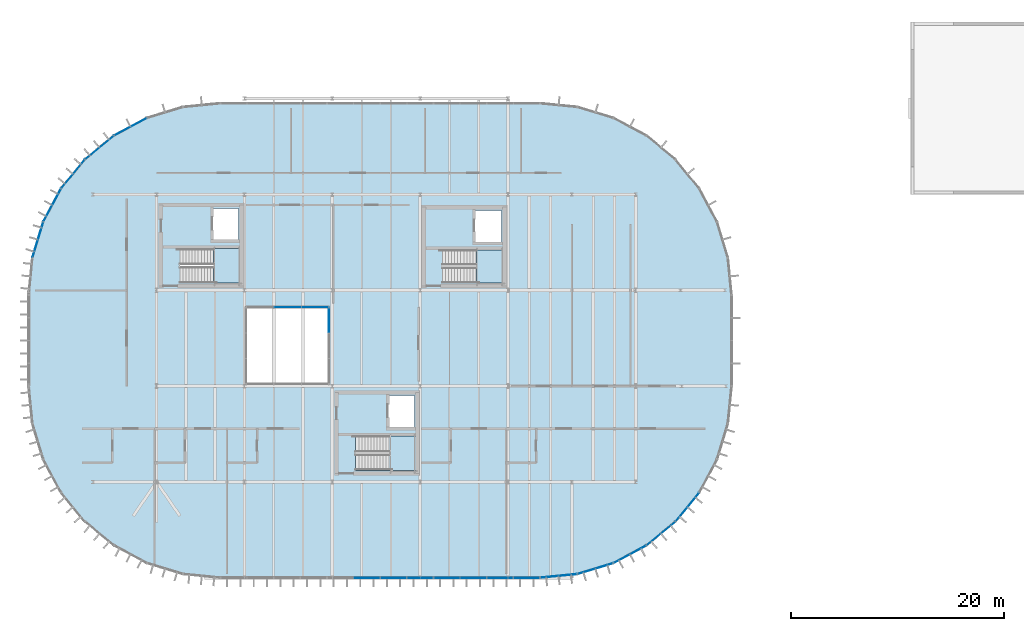
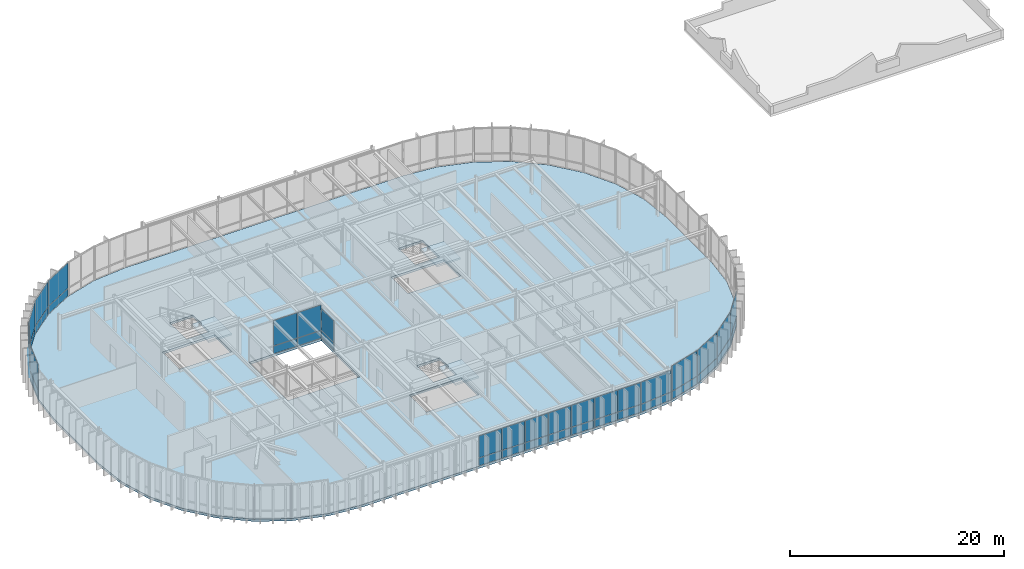
# One storey, part 17 of 27: 40 plates, 4 slabs, 6 openings, 17 elements without a shape of their own.
"""IFC4 building model written with IfcOpenShell, lengths in metres."""

from ifc_helpers import new_model, si_unit, direction, frame, origin, origin_2d, place, context, subcontext, project, spatial, polyline, rectangle, outline, extrude, material, layer, layer_set, type_object, element, aggregate, save


model = new_model("IFC4")

# Units and contexts
model_context = context("Model", 3, precision=1e-05, world=origin(), true_north=direction((0.0, 1.0)))
body_context = subcontext(model_context, "Body", "Model", "MODEL_VIEW")
ifc_project = project(units=[si_unit("LENGTHUNIT", "METRE"), si_unit("AREAUNIT", "SQUARE_METRE"), si_unit("VOLUMEUNIT", "CUBIC_METRE"), si_unit("PLANEANGLEUNIT", "RADIAN"), si_unit("MASSUNIT", "GRAM", prefix="KILO")], contexts=[model_context])

# Site, building, storey
site_placement = place(None, origin())
site = spatial("IfcSite", under=ifc_project, at=site_placement, CompositionType="ELEMENT")
building_placement = place(site_placement, origin())
building = spatial("IfcBuilding", under=site, at=building_placement, Name="Montealbar Specialist Clinic", CompositionType="ELEMENT")
storey_placement = place(building_placement, frame((0.0, 0.0, 18.0)))
storey = spatial("IfcBuildingStorey", under=building, at=storey_placement, Name="L04", CompositionType="ELEMENT", Elevation=18.0)

# Curtain wall, plates
ifc_material_1 = material(Name="Low-E double glazing", Category="glass")
ifc_layer_1 = layer(ifc_material_1, 0.199951171875, Name="Low-E double glazing", Category="glass")
ifc_layer_set_1 = layer_set([ifc_layer_1], Name="Low-E double glazing")
curtain_wall_type_1 = type_object("IfcCurtainWallType", Name="CW-TYPE-35", PredefinedType="NOTDEFINED", material=ifc_layer_set_1)
curtain_wall_1_placement = place(storey_placement, origin())
curtain_wall_1 = element("IfcCurtainWall", 1, at=curtain_wall_1_placement, inside=storey, type_object=curtain_wall_type_1, Name="Unitised Curtain Wall CW-L04-822-182-822-254-180", PredefinedType="NOTDEFINED")
ifc_layer_2 = layer(ifc_material_1, 0.028076171875, Name="Low-E double glazing", Category="glass")
ifc_layer_set_2 = layer_set([ifc_layer_2], Name="Low-E double glazing")
plate_type_1 = type_object("IfcPlateType", Name="CW-PNL-IGU28", PredefinedType="CURTAIN_PANEL", material=ifc_layer_set_2)
plate_1_placement = place(storey_placement, frame((82.199951171875, 24.199951171875, 0.070068359375), z_axis=(0.0, 0.0, 1.0), x_axis=(0.0, 1.0, 0.0)))
plate_1 = element("IfcPlate", 2, at=plate_1_placement, type_object=plate_type_1, Name="Glazed Curtain Panel CW-L04-822-182-822-254-180-3-1", PredefinedType="CURTAIN_PANEL", context=body_context, shape_type="SweptSolid", body=[
    extrude(rectangle(XDim=2.327880859375, YDim=0.028076171875, at=origin_2d()), origin(), (0.0, 0.0, 1.0), 0.85009765625),
])
plate_2_placement = place(storey_placement, frame((82.199951171875, 24.199951171875, 0.97998046875), z_axis=(0.0, 0.0, 1.0), x_axis=(0.0, 1.0, 0.0)))
plate_2 = element("IfcPlate", 3, at=plate_2_placement, type_object=plate_type_1, Name="Glazed Curtain Panel CW-L04-822-182-822-254-180-3-2", PredefinedType="CURTAIN_PANEL", context=body_context, shape_type="SweptSolid", body=[
    extrude(rectangle(XDim=2.327880859375, YDim=0.028076171875, at=origin_2d()), origin(), (0.0, 0.0, 1.0), 2.43994140625),
])
aggregate(curtain_wall_1, [plate_1, plate_2])

ifc_layer_3 = layer(ifc_material_1, 0.199951171875, Name="Low-E double glazing", Category="glass")
ifc_layer_set_3 = layer_set([ifc_layer_3], Name="Low-E double glazing")
curtain_wall_type_2 = type_object("IfcCurtainWallType", Name="CW-TYPE-36", PredefinedType="NOTDEFINED", material=ifc_layer_set_3)
curtain_wall_2_placement = place(storey_placement, origin())
curtain_wall_2 = element("IfcCurtainWall", 4, at=curtain_wall_2_placement, inside=storey, type_object=curtain_wall_type_2, Name="Unitised Curtain Wall CW-L04-822-254-744-254-180", PredefinedType="NOTDEFINED")
plate_3_placement = place(storey_placement, frame((80.89990234375, 25.39990234375, 0.070068359375), z_axis=(0.0, 0.0, 1.0), x_axis=(-1.0, 0.0, 0.0)))
plate_3 = element("IfcPlate", 5, at=plate_3_placement, type_object=plate_type_1, Name="Glazed Curtain Panel CW-L04-822-254-744-254-180-1-1", PredefinedType="CURTAIN_PANEL", context=body_context, shape_type="SweptSolid", body=[
    extrude(rectangle(XDim=2.528076171875, YDim=0.028076171875, at=origin_2d()), origin(), (0.0, 0.0, 1.0), 0.85009765625),
])
plate_4_placement = place(storey_placement, frame((80.89990234375, 25.39990234375, 0.97998046875), z_axis=(0.0, 0.0, 1.0), x_axis=(-1.0, 0.0, 0.0)))
plate_4 = element("IfcPlate", 6, at=plate_4_placement, type_object=plate_type_1, Name="Glazed Curtain Panel CW-L04-822-254-744-254-180-1-2", PredefinedType="CURTAIN_PANEL", context=body_context, shape_type="SweptSolid", body=[
    extrude(rectangle(XDim=2.528076171875, YDim=0.028076171875, at=origin_2d()), origin(), (0.0, 0.0, 1.0), 2.8701171875),
])
plate_5_placement = place(storey_placement, frame((78.300048828125, 25.39990234375, 0.070068359375), z_axis=(0.0, 0.0, 1.0), x_axis=(-1.0, 0.0, 0.0)))
plate_5 = element("IfcPlate", 7, at=plate_5_placement, type_object=plate_type_1, Name="Glazed Curtain Panel CW-L04-822-254-744-254-180-2-1", PredefinedType="CURTAIN_PANEL", context=body_context, shape_type="SweptSolid", body=[
    extrude(rectangle(XDim=2.528076171875, YDim=0.028076171875, at=origin_2d()), origin(), (0.0, 0.0, 1.0), 0.85009765625),
])
plate_6_placement = place(storey_placement, frame((78.300048828125, 25.39990234375, 0.97998046875), z_axis=(0.0, 0.0, 1.0), x_axis=(-1.0, 0.0, 0.0)))
plate_6 = element("IfcPlate", 8, at=plate_6_placement, type_object=plate_type_1, Name="Glazed Curtain Panel CW-L04-822-254-744-254-180-2-2", PredefinedType="CURTAIN_PANEL", context=body_context, shape_type="SweptSolid", body=[
    extrude(rectangle(XDim=2.528076171875, YDim=0.028076171875, at=origin_2d()), origin(), (0.0, 0.0, 1.0), 2.8701171875),
])
aggregate(curtain_wall_2, [plate_3, plate_4, plate_5, plate_6])

ifc_layer_4 = layer(ifc_material_1, 0.199951171875, Name="Low-E double glazing", Category="glass")
ifc_layer_set_4 = layer_set([ifc_layer_4], Name="Low-E double glazing")
curtain_wall_type_3 = type_object("IfcCurtainWallType", Name="CW-TYPE-29", PredefinedType="NOTDEFINED", material=ifc_layer_set_4)
curtain_wall_3_placement = place(storey_placement, origin())
curtain_wall_3 = element("IfcCurtainWall", 9, at=curtain_wall_3_placement, inside=storey, type_object=curtain_wall_type_3, Name="Unitised Curtain Wall CW-L04-543-301-554-334-180", PredefinedType="NOTDEFINED")
ifc_layer_5 = layer(ifc_material_1, 0.0380859375, Name="Low-E double glazing", Category="glass")
ifc_layer_set_5 = layer_set([ifc_layer_5], Name="Low-E double glazing")
plate_type_2 = type_object("IfcPlateType", Name="CW-PNL-IGU38", PredefinedType="CURTAIN_PANEL", material=ifc_layer_set_5)
plate_7_placement = place(storey_placement, frame((54.85791015625, 31.75, 0.070068359375), z_axis=(0.0, 0.0, 1.0), x_axis=(0.290259134399, 0.956948083701, 0.0)))
plate_7 = element("IfcPlate", 10, at=plate_7_placement, type_object=plate_type_2, Name="Glazed Curtain Panel CW-L04-543-301-554-334-180-1-1", PredefinedType="CURTAIN_PANEL", context=body_context, shape_type="SweptSolid", body=[
    extrude(rectangle(XDim=3.444091796875, YDim=0.0380859375, at=origin_2d()), origin(), (0.0, 0.0, 1.0), 0.85009765625),
])
plate_8_placement = place(storey_placement, frame((54.85791015625, 31.75, 0.97998046875), z_axis=(0.0, 0.0, 1.0), x_axis=(0.290259134399, 0.956948083701, 0.0)))
plate_8 = element("IfcPlate", 11, at=plate_8_placement, type_object=plate_type_2, Name="Glazed Curtain Panel CW-L04-543-301-554-334-180-1-2", PredefinedType="CURTAIN_PANEL", context=body_context, shape_type="SweptSolid", body=[
    extrude(rectangle(XDim=3.444091796875, YDim=0.0380859375, at=origin_2d()), origin(), (0.0, 0.0, 1.0), 2.8701171875),
])
aggregate(curtain_wall_3, [plate_7, plate_8])

curtain_wall_4_placement = place(storey_placement, origin())
curtain_wall_4 = element("IfcCurtainWall", 12, at=curtain_wall_4_placement, inside=storey, type_object=curtain_wall_type_3, Name="Unitised Curtain Wall CW-L04-554-334-570-366-180", PredefinedType="NOTDEFINED")
plate_9_placement = place(storey_placement, frame((56.201904296875, 34.993896484375, 0.070068359375), z_axis=(0.0, 0.0, 1.0), x_axis=(0.471529268958, 0.881850411644, 0.0)))
plate_9 = element("IfcPlate", 13, at=plate_9_placement, type_object=plate_type_2, Name="Glazed Curtain Panel CW-L04-554-334-570-366-180-1-1", PredefinedType="CURTAIN_PANEL", context=body_context, shape_type="SweptSolid", body=[
    extrude(rectangle(XDim=3.445068359375, YDim=0.0380859375, at=origin_2d()), origin(), (0.0, 0.0, 1.0), 0.85009765625),
])
plate_10_placement = place(storey_placement, frame((56.201904296875, 34.993896484375, 0.97998046875), z_axis=(0.0, 0.0, 1.0), x_axis=(0.471529268958, 0.881850411644, 0.0)))
plate_10 = element("IfcPlate", 14, at=plate_10_placement, type_object=plate_type_2, Name="Glazed Curtain Panel CW-L04-554-334-570-366-180-1-2", PredefinedType="CURTAIN_PANEL", context=body_context, shape_type="SweptSolid", body=[
    extrude(rectangle(XDim=3.445068359375, YDim=0.0380859375, at=origin_2d()), origin(), (0.0, 0.0, 1.0), 2.8701171875),
])
aggregate(curtain_wall_4, [plate_9, plate_10])

curtain_wall_5_placement = place(storey_placement, origin())
curtain_wall_5 = element("IfcCurtainWall", 15, at=curtain_wall_5_placement, inside=storey, type_object=curtain_wall_type_3, Name="Unitised Curtain Wall CW-L04-570-366-593-393-180", PredefinedType="NOTDEFINED")
plate_11_placement = place(storey_placement, frame((58.153076171875, 37.9140625, 0.070068359375), z_axis=(0.0, 0.0, 1.0), x_axis=(0.634255808922, 0.773123255923, 0.0)))
plate_11 = element("IfcPlate", 16, at=plate_11_placement, type_object=plate_type_2, Name="Glazed Curtain Panel CW-L04-570-366-593-393-180-1-1", PredefinedType="CURTAIN_PANEL", context=body_context, shape_type="SweptSolid", body=[
    extrude(rectangle(XDim=3.445068359375, YDim=0.0380859375, at=origin_2d()), origin(), (0.0, 0.0, 1.0), 0.85009765625),
])
plate_12_placement = place(storey_placement, frame((58.153076171875, 37.9140625, 0.97998046875), z_axis=(0.0, 0.0, 1.0), x_axis=(0.634255808922, 0.773123255923, 0.0)))
plate_12 = element("IfcPlate", 17, at=plate_12_placement, type_object=plate_type_2, Name="Glazed Curtain Panel CW-L04-570-366-593-393-180-1-2", PredefinedType="CURTAIN_PANEL", context=body_context, shape_type="SweptSolid", body=[
    extrude(rectangle(XDim=3.445068359375, YDim=0.0380859375, at=origin_2d()), origin(), (0.0, 0.0, 1.0), 2.8701171875),
])
aggregate(curtain_wall_5, [plate_11, plate_12])

curtain_wall_6_placement = place(storey_placement, origin())
curtain_wall_6 = element("IfcCurtainWall", 18, at=curtain_wall_6_placement, inside=storey, type_object=curtain_wall_type_3, Name="Unitised Curtain Wall CW-L04-593-393-620-415-180", PredefinedType="NOTDEFINED")
plate_13_placement = place(storey_placement, frame((60.635986328125, 40.39697265625, 0.070068359375), z_axis=(0.0, 0.0, 1.0), x_axis=(0.773123255923, 0.634255808922, 0.0)))
plate_13 = element("IfcPlate", 19, at=plate_13_placement, type_object=plate_type_2, Name="Glazed Curtain Panel CW-L04-593-393-620-415-180-1-1", PredefinedType="CURTAIN_PANEL", context=body_context, shape_type="SweptSolid", body=[
    extrude(rectangle(XDim=3.445068359375, YDim=0.0380859375, at=origin_2d()), origin(), (0.0, 0.0, 1.0), 0.85009765625),
])
plate_14_placement = place(storey_placement, frame((60.635986328125, 40.39697265625, 0.97998046875), z_axis=(0.0, 0.0, 1.0), x_axis=(0.773123255923, 0.634255808922, 0.0)))
plate_14 = element("IfcPlate", 20, at=plate_14_placement, type_object=plate_type_2, Name="Glazed Curtain Panel CW-L04-593-393-620-415-180-1-2", PredefinedType="CURTAIN_PANEL", context=body_context, shape_type="SweptSolid", body=[
    extrude(rectangle(XDim=3.445068359375, YDim=0.0380859375, at=origin_2d()), origin(), (0.0, 0.0, 1.0), 2.8701171875),
])
aggregate(curtain_wall_6, [plate_13, plate_14])

curtain_wall_7_placement = place(storey_placement, origin())
curtain_wall_7 = element("IfcCurtainWall", 21, at=curtain_wall_7_placement, inside=storey, type_object=curtain_wall_type_3, Name="Unitised Curtain Wall CW-L04-620-415-651-432-180", PredefinedType="NOTDEFINED")
plate_15_placement = place(storey_placement, frame((63.555908203125, 42.347900390625, 0.070068359375), z_axis=(0.0, 0.0, 1.0), x_axis=(0.881850411644, 0.471529268958, 0.0)))
plate_15 = element("IfcPlate", 22, at=plate_15_placement, type_object=plate_type_2, Name="Glazed Curtain Panel CW-L04-620-415-651-432-180-1-1", PredefinedType="CURTAIN_PANEL", context=body_context, shape_type="SweptSolid", body=[
    extrude(rectangle(XDim=3.445068359375, YDim=0.0380859375, at=origin_2d()), origin(), (0.0, 0.0, 1.0), 0.85009765625),
])
plate_16_placement = place(storey_placement, frame((63.555908203125, 42.347900390625, 0.97998046875), z_axis=(0.0, 0.0, 1.0), x_axis=(0.881850411644, 0.471529268958, 0.0)))
plate_16 = element("IfcPlate", 23, at=plate_16_placement, type_object=plate_type_2, Name="Glazed Curtain Panel CW-L04-620-415-651-432-180-1-2", PredefinedType="CURTAIN_PANEL", context=body_context, shape_type="SweptSolid", body=[
    extrude(rectangle(XDim=3.445068359375, YDim=0.0380859375, at=origin_2d()), origin(), (0.0, 0.0, 1.0), 2.8701171875),
])
aggregate(curtain_wall_7, [plate_15, plate_16])

curtain_wall_8_placement = place(storey_placement, origin())
curtain_wall_8 = element("IfcCurtainWall", 24, at=curtain_wall_8_placement, inside=storey, type_object=curtain_wall_type_3, Name="Unitised Curtain Wall CW-L04-1170-80-1147-53-180", PredefinedType="NOTDEFINED")
plate_17_placement = place(storey_placement, frame((115.846923828125, 6.635986328125, 0.070068359375), z_axis=(0.0, 0.0, 1.0), x_axis=(-0.634255808922, -0.773123255923, 0.0)))
plate_17 = element("IfcPlate", 25, at=plate_17_placement, type_object=plate_type_2, Name="Glazed Curtain Panel CW-L04-1170-80-1147-53-180-1-1", PredefinedType="CURTAIN_PANEL", context=body_context, shape_type="SweptSolid", body=[
    extrude(rectangle(XDim=3.445068359375, YDim=0.0380859375, at=origin_2d()), origin(), (0.0, 0.0, 1.0), 0.85009765625),
])
plate_18_placement = place(storey_placement, frame((115.846923828125, 6.635986328125, 0.97998046875), z_axis=(0.0, 0.0, 1.0), x_axis=(-0.634255808922, -0.773123255923, 0.0)))
plate_18 = element("IfcPlate", 26, at=plate_18_placement, type_object=plate_type_2, Name="Glazed Curtain Panel CW-L04-1170-80-1147-53-180-1-2", PredefinedType="CURTAIN_PANEL", context=body_context, shape_type="SweptSolid", body=[
    extrude(rectangle(XDim=3.445068359375, YDim=0.0380859375, at=origin_2d()), origin(), (0.0, 0.0, 1.0), 2.8701171875),
])
aggregate(curtain_wall_8, [plate_17, plate_18])

curtain_wall_9_placement = place(storey_placement, origin())
curtain_wall_9 = element("IfcCurtainWall", 27, at=curtain_wall_9_placement, inside=storey, type_object=curtain_wall_type_3, Name="Unitised Curtain Wall CW-L04-1147-53-1120-30-180", PredefinedType="NOTDEFINED")
plate_19_placement = place(storey_placement, frame((113.364013671875, 4.153076171875, 0.070068359375), z_axis=(0.0, 0.0, 1.0), x_axis=(-0.773123255923, -0.634255808922, 0.0)))
plate_19 = element("IfcPlate", 28, at=plate_19_placement, type_object=plate_type_2, Name="Glazed Curtain Panel CW-L04-1147-53-1120-30-180-1-1", PredefinedType="CURTAIN_PANEL", context=body_context, shape_type="SweptSolid", body=[
    extrude(rectangle(XDim=3.445068359375, YDim=0.0380859375, at=origin_2d()), origin(), (0.0, 0.0, 1.0), 0.85009765625),
])
plate_20_placement = place(storey_placement, frame((113.364013671875, 4.153076171875, 0.97998046875), z_axis=(0.0, 0.0, 1.0), x_axis=(-0.773123255923, -0.634255808922, 0.0)))
plate_20 = element("IfcPlate", 29, at=plate_20_placement, type_object=plate_type_2, Name="Glazed Curtain Panel CW-L04-1147-53-1120-30-180-1-2", PredefinedType="CURTAIN_PANEL", context=body_context, shape_type="SweptSolid", body=[
    extrude(rectangle(XDim=3.445068359375, YDim=0.0380859375, at=origin_2d()), origin(), (0.0, 0.0, 1.0), 2.8701171875),
])
aggregate(curtain_wall_9, [plate_19, plate_20])

curtain_wall_10_placement = place(storey_placement, origin())
curtain_wall_10 = element("IfcCurtainWall", 30, at=curtain_wall_10_placement, inside=storey, type_object=curtain_wall_type_3, Name="Unitised Curtain Wall CW-L04-1120-30-1089-14-180", PredefinedType="NOTDEFINED")
plate_21_placement = place(storey_placement, frame((110.444091796875, 2.201904296875, 0.070068359375), z_axis=(0.0, 0.0, 1.0), x_axis=(-0.881850411644, -0.471529268958, 0.0)))
plate_21 = element("IfcPlate", 31, at=plate_21_placement, type_object=plate_type_2, Name="Glazed Curtain Panel CW-L04-1120-30-1089-14-180-1-1", PredefinedType="CURTAIN_PANEL", context=body_context, shape_type="SweptSolid", body=[
    extrude(rectangle(XDim=3.445068359375, YDim=0.0380859375, at=origin_2d()), origin(), (0.0, 0.0, 1.0), 0.85009765625),
])
plate_22_placement = place(storey_placement, frame((110.444091796875, 2.201904296875, 0.97998046875), z_axis=(0.0, 0.0, 1.0), x_axis=(-0.881850411644, -0.471529268958, 0.0)))
plate_22 = element("IfcPlate", 32, at=plate_22_placement, type_object=plate_type_2, Name="Glazed Curtain Panel CW-L04-1120-30-1089-14-180-1-2", PredefinedType="CURTAIN_PANEL", context=body_context, shape_type="SweptSolid", body=[
    extrude(rectangle(XDim=3.445068359375, YDim=0.0380859375, at=origin_2d()), origin(), (0.0, 0.0, 1.0), 2.8701171875),
])
aggregate(curtain_wall_10, [plate_21, plate_22])

curtain_wall_11_placement = place(storey_placement, origin())
curtain_wall_11 = element("IfcCurtainWall", 33, at=curtain_wall_11_placement, inside=storey, type_object=curtain_wall_type_3, Name="Unitised Curtain Wall CW-L04-1089-14-1055-3-180", PredefinedType="NOTDEFINED")
plate_23_placement = place(storey_placement, frame((107.199951171875, 0.85791015625, 0.070068359375), z_axis=(0.0, 0.0, 1.0), x_axis=(-0.956948083701, -0.290259134399, 0.0)))
plate_23 = element("IfcPlate", 34, at=plate_23_placement, type_object=plate_type_2, Name="Glazed Curtain Panel CW-L04-1089-14-1055-3-180-1-1", PredefinedType="CURTAIN_PANEL", context=body_context, shape_type="SweptSolid", body=[
    extrude(rectangle(XDim=3.444091796875, YDim=0.0380859375, at=origin_2d()), origin(), (0.0, 0.0, 1.0), 0.85009765625),
])
plate_24_placement = place(storey_placement, frame((107.199951171875, 0.85791015625, 0.97998046875), z_axis=(0.0, 0.0, 1.0), x_axis=(-0.956948083701, -0.290259134399, 0.0)))
plate_24 = element("IfcPlate", 35, at=plate_24_placement, type_object=plate_type_2, Name="Glazed Curtain Panel CW-L04-1089-14-1055-3-180-1-2", PredefinedType="CURTAIN_PANEL", context=body_context, shape_type="SweptSolid", body=[
    extrude(rectangle(XDim=3.444091796875, YDim=0.0380859375, at=origin_2d()), origin(), (0.0, 0.0, 1.0), 2.8701171875),
])
aggregate(curtain_wall_11, [plate_23, plate_24])

ifc_layer_6 = layer(ifc_material_1, 0.199951171875, Name="Low-E double glazing", Category="glass")
ifc_layer_set_6 = layer_set([ifc_layer_6], Name="Low-E double glazing")
curtain_wall_type_4 = type_object("IfcCurtainWallType", Name="CW-TYPE-15", PredefinedType="NOTDEFINED", material=ifc_layer_set_6)
curtain_wall_12_placement = place(storey_placement, origin())
curtain_wall_12 = element("IfcCurtainWall", 36, at=curtain_wall_12_placement, inside=storey, type_object=curtain_wall_type_4, Name="Unitised Curtain Wall CW-L04-1055-3-1020-0-180", PredefinedType="NOTDEFINED")
plate_25_placement = place(storey_placement, frame((103.756103515625, 0.173095703125, 0.070068359375), z_axis=(0.0, 0.0, 1.0), x_axis=(-0.995182012183, -0.098044697094, 0.0)))
plate_25 = element("IfcPlate", 37, at=plate_25_placement, type_object=plate_type_2, Name="Glazed Curtain Panel CW-L04-1055-3-1020-0-180-1-1", PredefinedType="CURTAIN_PANEL", context=body_context, shape_type="SweptSolid", body=[
    extrude(rectangle(XDim=3.445068359375, YDim=0.0380859375, at=origin_2d()), origin(), (0.0, 0.0, 1.0), 0.85009765625),
])
plate_26_placement = place(storey_placement, frame((103.756103515625, 0.173095703125, 0.97998046875), z_axis=(0.0, 0.0, 1.0), x_axis=(-0.995182012183, -0.098044697094, 0.0)))
plate_26 = element("IfcPlate", 38, at=plate_26_placement, type_object=plate_type_2, Name="Glazed Curtain Panel CW-L04-1055-3-1020-0-180-1-2", PredefinedType="CURTAIN_PANEL", context=body_context, shape_type="SweptSolid", body=[
    extrude(rectangle(XDim=3.445068359375, YDim=0.0380859375, at=origin_2d()), origin(), (0.0, 0.0, 1.0), 2.47998046875),
])
aggregate(curtain_wall_12, [plate_25, plate_26])

ifc_layer_7 = layer(ifc_material_1, 0.199951171875, Name="Low-E double glazing", Category="glass")
ifc_layer_set_7 = layer_set([ifc_layer_7], Name="Low-E double glazing")
curtain_wall_type_5 = type_object("IfcCurtainWallType", Name="CW-TYPE-16", PredefinedType="NOTDEFINED", material=ifc_layer_set_7)
curtain_wall_13_placement = place(storey_placement, origin())
curtain_wall_13 = element("IfcCurtainWall", 39, at=curtain_wall_13_placement, inside=storey, type_object=curtain_wall_type_5, Name="Unitised Curtain Wall CW-L04-1020-0-920-0-180", PredefinedType="NOTDEFINED")
plate_27_placement = place(storey_placement, frame((100.75, 0.0, 0.070068359375), z_axis=(0.0, 0.0, 1.0), x_axis=(-1.0, 0.0, 0.0)))
plate_27 = element("IfcPlate", 40, at=plate_27_placement, type_object=plate_type_2, Name="Glazed Curtain Panel CW-L04-1020-0-920-0-180-1-1", PredefinedType="CURTAIN_PANEL", context=body_context, shape_type="SweptSolid", body=[
    extrude(rectangle(XDim=2.416015625, YDim=0.0380859375, at=origin_2d()), origin(), (0.0, 0.0, 1.0), 0.85009765625),
])
plate_28_placement = place(storey_placement, frame((100.75, 0.0, 0.97998046875), z_axis=(0.0, 0.0, 1.0), x_axis=(-1.0, 0.0, 0.0)))
plate_28 = element("IfcPlate", 41, at=plate_28_placement, type_object=plate_type_2, Name="Glazed Curtain Panel CW-L04-1020-0-920-0-180-1-2", PredefinedType="CURTAIN_PANEL", context=body_context, shape_type="SweptSolid", body=[
    extrude(rectangle(XDim=2.416015625, YDim=0.0380859375, at=origin_2d()), origin(), (0.0, 0.0, 1.0), 2.47998046875),
])
plate_29_placement = place(storey_placement, frame((98.25, 0.0, 0.070068359375), z_axis=(0.0, 0.0, 1.0), x_axis=(-1.0, 0.0, 0.0)))
plate_29 = element("IfcPlate", 42, at=plate_29_placement, type_object=plate_type_2, Name="Glazed Curtain Panel CW-L04-1020-0-920-0-180-2-1", PredefinedType="CURTAIN_PANEL", context=body_context, shape_type="SweptSolid", body=[
    extrude(rectangle(XDim=2.416015625, YDim=0.0380859375, at=origin_2d()), origin(), (0.0, 0.0, 1.0), 0.85009765625),
])
plate_30_placement = place(storey_placement, frame((98.25, 0.0, 0.97998046875), z_axis=(0.0, 0.0, 1.0), x_axis=(-1.0, 0.0, 0.0)))
plate_30 = element("IfcPlate", 43, at=plate_30_placement, type_object=plate_type_2, Name="Glazed Curtain Panel CW-L04-1020-0-920-0-180-2-2", PredefinedType="CURTAIN_PANEL", context=body_context, shape_type="SweptSolid", body=[
    extrude(rectangle(XDim=2.416015625, YDim=0.0380859375, at=origin_2d()), origin(), (0.0, 0.0, 1.0), 2.47998046875),
])
plate_31_placement = place(storey_placement, frame((95.75, 0.0, 0.070068359375), z_axis=(0.0, 0.0, 1.0), x_axis=(-1.0, 0.0, 0.0)))
plate_31 = element("IfcPlate", 44, at=plate_31_placement, type_object=plate_type_2, Name="Glazed Curtain Panel CW-L04-1020-0-920-0-180-3-1", PredefinedType="CURTAIN_PANEL", context=body_context, shape_type="SweptSolid", body=[
    extrude(rectangle(XDim=2.416015625, YDim=0.0380859375, at=origin_2d()), origin(), (0.0, 0.0, 1.0), 0.85009765625),
])
plate_32_placement = place(storey_placement, frame((95.75, 0.0, 0.97998046875), z_axis=(0.0, 0.0, 1.0), x_axis=(-1.0, 0.0, 0.0)))
plate_32 = element("IfcPlate", 45, at=plate_32_placement, type_object=plate_type_2, Name="Glazed Curtain Panel CW-L04-1020-0-920-0-180-3-2", PredefinedType="CURTAIN_PANEL", context=body_context, shape_type="SweptSolid", body=[
    extrude(rectangle(XDim=2.416015625, YDim=0.0380859375, at=origin_2d()), origin(), (0.0, 0.0, 1.0), 2.47998046875),
])
plate_33_placement = place(storey_placement, frame((93.25, 0.0, 0.070068359375), z_axis=(0.0, 0.0, 1.0), x_axis=(-1.0, 0.0, 0.0)))
plate_33 = element("IfcPlate", 46, at=plate_33_placement, type_object=plate_type_2, Name="Glazed Curtain Panel CW-L04-1020-0-920-0-180-4-1", PredefinedType="CURTAIN_PANEL", context=body_context, shape_type="SweptSolid", body=[
    extrude(rectangle(XDim=2.416015625, YDim=0.0380859375, at=origin_2d()), origin(), (0.0, 0.0, 1.0), 0.85009765625),
])
plate_34_placement = place(storey_placement, frame((93.25, 0.0, 0.97998046875), z_axis=(0.0, 0.0, 1.0), x_axis=(-1.0, 0.0, 0.0)))
plate_34 = element("IfcPlate", 47, at=plate_34_placement, type_object=plate_type_2, Name="Glazed Curtain Panel CW-L04-1020-0-920-0-180-4-2", PredefinedType="CURTAIN_PANEL", context=body_context, shape_type="SweptSolid", body=[
    extrude(rectangle(XDim=2.416015625, YDim=0.0380859375, at=origin_2d()), origin(), (0.0, 0.0, 1.0), 2.47998046875),
])
aggregate(curtain_wall_13, [plate_27, plate_28, plate_29, plate_30, plate_31, plate_32, plate_33, plate_34])

curtain_wall_14_placement = place(storey_placement, origin())
curtain_wall_14 = element("IfcCurtainWall", 48, at=curtain_wall_14_placement, inside=storey, type_object=curtain_wall_type_5, Name="Unitised Curtain Wall CW-L04-920-0-820-0-180", PredefinedType="NOTDEFINED")
plate_35_placement = place(storey_placement, frame((90.75, 0.0, 0.070068359375), z_axis=(0.0, 0.0, 1.0), x_axis=(-1.0, 0.0, 0.0)))
plate_35 = element("IfcPlate", 49, at=plate_35_placement, type_object=plate_type_2, Name="Glazed Curtain Panel CW-L04-920-0-820-0-180-1-1", PredefinedType="CURTAIN_PANEL", context=body_context, shape_type="SweptSolid", body=[
    extrude(rectangle(XDim=2.416015625, YDim=0.0380859375, at=origin_2d()), origin(), (0.0, 0.0, 1.0), 0.85009765625),
])
plate_36_placement = place(storey_placement, frame((90.75, 0.0, 0.97998046875), z_axis=(0.0, 0.0, 1.0), x_axis=(-1.0, 0.0, 0.0)))
plate_36 = element("IfcPlate", 50, at=plate_36_placement, type_object=plate_type_2, Name="Glazed Curtain Panel CW-L04-920-0-820-0-180-1-2", PredefinedType="CURTAIN_PANEL", context=body_context, shape_type="SweptSolid", body=[
    extrude(rectangle(XDim=2.416015625, YDim=0.0380859375, at=origin_2d()), origin(), (0.0, 0.0, 1.0), 2.47998046875),
])
plate_37_placement = place(storey_placement, frame((88.25, 0.0, 0.070068359375), z_axis=(0.0, 0.0, 1.0), x_axis=(-1.0, 0.0, 0.0)))
plate_37 = element("IfcPlate", 51, at=plate_37_placement, type_object=plate_type_2, Name="Glazed Curtain Panel CW-L04-920-0-820-0-180-2-1", PredefinedType="CURTAIN_PANEL", context=body_context, shape_type="SweptSolid", body=[
    extrude(rectangle(XDim=2.416015625, YDim=0.0380859375, at=origin_2d()), origin(), (0.0, 0.0, 1.0), 0.85009765625),
])
plate_38_placement = place(storey_placement, frame((88.25, 0.0, 0.97998046875), z_axis=(0.0, 0.0, 1.0), x_axis=(-1.0, 0.0, 0.0)))
plate_38 = element("IfcPlate", 52, at=plate_38_placement, type_object=plate_type_2, Name="Glazed Curtain Panel CW-L04-920-0-820-0-180-2-2", PredefinedType="CURTAIN_PANEL", context=body_context, shape_type="SweptSolid", body=[
    extrude(rectangle(XDim=2.416015625, YDim=0.0380859375, at=origin_2d()), origin(), (0.0, 0.0, 1.0), 2.47998046875),
])
plate_39_placement = place(storey_placement, frame((85.75, 0.0, 0.070068359375), z_axis=(0.0, 0.0, 1.0), x_axis=(-1.0, 0.0, 0.0)))
plate_39 = element("IfcPlate", 53, at=plate_39_placement, type_object=plate_type_2, Name="Glazed Curtain Panel CW-L04-920-0-820-0-180-3-1", PredefinedType="CURTAIN_PANEL", context=body_context, shape_type="SweptSolid", body=[
    extrude(rectangle(XDim=2.416015625, YDim=0.0380859375, at=origin_2d()), origin(), (0.0, 0.0, 1.0), 0.85009765625),
])
plate_40_placement = place(storey_placement, frame((85.75, 0.0, 0.97998046875), z_axis=(0.0, 0.0, 1.0), x_axis=(-1.0, 0.0, 0.0)))
plate_40 = element("IfcPlate", 54, at=plate_40_placement, type_object=plate_type_2, Name="Glazed Curtain Panel CW-L04-920-0-820-0-180-3-2", PredefinedType="CURTAIN_PANEL", context=body_context, shape_type="SweptSolid", body=[
    extrude(rectangle(XDim=2.416015625, YDim=0.0380859375, at=origin_2d()), origin(), (0.0, 0.0, 1.0), 2.47998046875),
])
aggregate(curtain_wall_14, [plate_35, plate_36, plate_37, plate_38, plate_39, plate_40])

# Slab, openings
ifc_material_2 = material(Name="Concrete C35/45", Category="concrete")
ifc_layer_8 = layer(ifc_material_2, 0.260009765625, Name="Concrete C35/45", Category="concrete")
ifc_layer_set_8 = layer_set([ifc_layer_8], Name="Concrete C35/45")
slab_type_1 = type_object("IfcSlabType", Name="SL-FLR-210", PredefinedType="FLOOR", material=ifc_layer_set_8)
slab_1_placement = place(storey_placement, frame((0.0, 0.0, -0.260009765625)))
slab_1 = element("IfcSlab", 55, at=slab_1_placement, inside=storey, type_object=slab_type_1, Name="Structural Slab L04 Wing 1", PredefinedType="FLOOR", context=body_context, shape_type="SweptSolid", body=[
    extrude(outline(polyline([(54.0, 26.550048828125), (54.345947265625, 30.06201171875), (55.3701171875, 33.43798828125), (57.033935546875, 36.550048828125), (59.27197265625, 39.278076171875), (62.0, 41.51611328125), (65.112060546875, 43.179931640625), (68.488037109375, 44.2041015625), (72.0, 44.550048828125), (102.0, 44.550048828125), (105.511962890625, 44.2041015625), (108.887939453125, 43.179931640625), (112.0, 41.51611328125), (114.72802734375, 39.278076171875), (116.966064453125, 36.550048828125), (118.6298828125, 33.43798828125), (119.654052734375, 30.06201171875), (120.0, 26.550048828125), (120.0, 18.0), (119.654052734375, 14.488037109375), (118.6298828125, 11.112060546875), (116.966064453125, 8.0), (114.72802734375, 5.27197265625), (112.0, 3.033935546875), (108.887939453125, 1.3701171875), (105.511962890625, 0.345947265625), (102.0, 0.0), (72.0, 0.0), (68.488037109375, 0.345947265625), (65.112060546875, 1.3701171875), (62.0, 3.033935546875), (59.27197265625, 5.27197265625), (57.033935546875, 8.0), (55.3701171875, 11.112060546875), (54.345947265625, 14.488037109375), (54.0, 18.0), (54.0, 26.550048828125)]), holes=[polyline([(82.199951171875, 18.199951171875), (82.199951171875, 25.39990234375), (74.39990234375, 25.39990234375), (74.39990234375, 18.199951171875), (82.199951171875, 18.199951171875)]), polyline([(84.699951171875, 10.10009765625), (90.35009765625, 10.10009765625), (90.35009765625, 13.300048828125), (84.699951171875, 13.300048828125), (84.699951171875, 10.10009765625)]), polyline([(87.697998046875, 17.10205078125), (87.697998046875, 13.998046875), (90.201904296875, 13.998046875), (90.201904296875, 17.10205078125), (87.697998046875, 17.10205078125)]), polyline([(92.85009765625, 30.800048828125), (92.85009765625, 27.699951171875), (98.550048828125, 27.699951171875), (98.550048828125, 30.800048828125), (92.85009765625, 30.800048828125)]), polyline([(68.199951171875, 27.699951171875), (73.85009765625, 27.699951171875), (73.85009765625, 30.89990234375), (68.199951171875, 30.89990234375), (68.199951171875, 27.699951171875)]), polyline([(95.798095703125, 34.501953125), (95.798095703125, 31.39794921875), (98.402099609375, 31.39794921875), (98.402099609375, 34.501953125), (95.798095703125, 34.501953125)]), polyline([(71.197998046875, 34.701904296875), (71.197998046875, 31.597900390625), (73.701904296875, 31.597900390625), (73.701904296875, 34.701904296875), (71.197998046875, 34.701904296875)])]), origin(), (0.0, 0.0, 1.0), 0.260009765625),
])
opening_1_placement = place(slab_1_placement, frame((71.02490234375, 29.2998046875, -0.010009765625)))
element("IfcOpeningElement", 56, at=opening_1_placement, cuts=slab_1, Name="Opening STAIRVOID-C3-L04-1", PredefinedType="OPENING", context=body_context, shape_type="SweptSolid", body=[
    extrude(rectangle(XDim=5.646240234375, YDim=3.196044921875, at=origin_2d()), origin(), (0.0, 0.0, 1.0), 0.280029296875),
])
opening_2_placement = place(slab_1_placement, frame((72.449951171875, 33.14990234375, -0.010009765625)))
element("IfcOpeningElement", 57, at=opening_2_placement, cuts=slab_1, Name="Opening LIFTSHAFT-FL-01-L04", PredefinedType="OPENING", context=body_context, shape_type="SweptSolid", body=[
    extrude(rectangle(XDim=2.5, YDim=3.10009765625, at=origin_2d()), origin(), (0.0, 0.0, 1.0), 0.280029296875),
])
opening_3_placement = place(slab_1_placement, frame((87.52490234375, 11.7001953125, -0.010009765625)))
element("IfcOpeningElement", 58, at=opening_3_placement, cuts=slab_1, Name="Opening STAIRVOID-C4-L04-1", PredefinedType="OPENING", context=body_context, shape_type="SweptSolid", body=[
    extrude(rectangle(XDim=5.646240234375, YDim=3.196044921875, at=origin_2d()), origin(), (0.0, 0.0, 1.0), 0.280029296875),
])
opening_4_placement = place(slab_1_placement, frame((88.949951171875, 15.550048828125, -0.010009765625)))
element("IfcOpeningElement", 59, at=opening_4_placement, cuts=slab_1, Name="Opening LIFTSHAFT-FL-02-L04", PredefinedType="OPENING", context=body_context, shape_type="SweptSolid", body=[
    extrude(rectangle(XDim=2.5, YDim=3.10009765625, at=origin_2d()), origin(), (0.0, 0.0, 1.0), 0.280029296875),
])
opening_5_placement = place(slab_1_placement, frame((95.7001953125, 29.25, -0.010009765625)))
element("IfcOpeningElement", 60, at=opening_5_placement, cuts=slab_1, Name="Opening STAIRVOID-C5-L04-1", PredefinedType="OPENING", context=body_context, shape_type="SweptSolid", body=[
    extrude(rectangle(XDim=5.696044921875, YDim=3.09619140625, at=origin_2d()), origin(), (0.0, 0.0, 1.0), 0.280029296875),
])
opening_6_placement = place(slab_1_placement, frame((97.10009765625, 32.949951171875, -0.010009765625)))
element("IfcOpeningElement", 61, at=opening_6_placement, cuts=slab_1, Name="Opening LIFTSHAFT-LF-03-L04", PredefinedType="OPENING", context=body_context, shape_type="SweptSolid", body=[
    extrude(rectangle(XDim=2.60009765625, YDim=3.10009765625, at=origin_2d()), origin(), (0.0, 0.0, 1.0), 0.280029296875),
])

# Stair, slab
stair_type_1 = type_object("IfcStairType", Name="STAIR-HT-07", PredefinedType="HALF_TURN_STAIR", material=ifc_material_2)
stair_1_placement = place(storey_placement, origin())
stair_1 = element("IfcStair", 62, at=stair_1_placement, inside=storey, type_object=stair_type_1, Name="L04 Protected Exit Stair Core C3", PredefinedType="HALF_TURN_STAIR")
ifc_layer_9 = layer(ifc_material_2, 0.199951171875, Name="Concrete C35/45", Category="concrete")
ifc_layer_set_9 = layer_set([ifc_layer_9], Name="Concrete C35/45")
slab_type_2 = type_object("IfcSlabType", Name="SL-STAIR-LAND-200", PredefinedType="LANDING", material=ifc_layer_set_9)
slab_2_placement = place(storey_placement, frame((0.0, 0.0, 1.89990234375)))
slab_2 = element("IfcSlab", 63, at=slab_2_placement, type_object=slab_type_2, Name="ST-03 landing 1", PredefinedType="LANDING", context=body_context, shape_type="SweptSolid", body=[
    extrude(outline(polyline([(71.3349609375, 27.699951171875), (73.85009765625, 27.699951171875), (73.85009765625, 30.89990234375), (71.3349609375, 30.89990234375), (71.3349609375, 27.699951171875)])), origin(), (0.0, 0.0, 1.0), 0.2001953125),
])
aggregate(stair_1, [slab_2])

stair_2_placement = place(storey_placement, origin())
stair_2 = element("IfcStair", 64, at=stair_2_placement, inside=storey, type_object=stair_type_1, Name="L04 Protected Exit Stair Core C4", PredefinedType="HALF_TURN_STAIR")
slab_3_placement = place(storey_placement, frame((0.0, 0.0, 1.89990234375)))
slab_3 = element("IfcSlab", 65, at=slab_3_placement, type_object=slab_type_2, Name="ST-04 landing 1", PredefinedType="LANDING", context=body_context, shape_type="SweptSolid", body=[
    extrude(outline(polyline([(87.8349609375, 10.10009765625), (90.35009765625, 10.10009765625), (90.35009765625, 13.300048828125), (87.8349609375, 13.300048828125), (87.8349609375, 10.10009765625)])), origin(), (0.0, 0.0, 1.0), 0.2001953125),
])
aggregate(stair_2, [slab_3])

stair_type_2 = type_object("IfcStairType", Name="STAIR-HT-08", PredefinedType="HALF_TURN_STAIR", material=ifc_material_2)
stair_3_placement = place(storey_placement, origin())
stair_3 = element("IfcStair", 66, at=stair_3_placement, inside=storey, type_object=stair_type_2, Name="L04 Protected Exit Stair Core C5", PredefinedType="HALF_TURN_STAIR")
slab_4_placement = place(storey_placement, frame((0.0, 0.0, 1.89990234375)))
slab_4 = element("IfcSlab", 67, at=slab_4_placement, type_object=slab_type_2, Name="ST-05 landing 1", PredefinedType="LANDING", context=body_context, shape_type="SweptSolid", body=[
    extrude(outline(polyline([(95.985107421875, 27.699951171875), (98.550048828125, 27.699951171875), (98.550048828125, 30.800048828125), (95.985107421875, 30.800048828125), (95.985107421875, 27.699951171875)])), origin(), (0.0, 0.0, 1.0), 0.2001953125),
])
aggregate(stair_3, [slab_4])

save(model, "model.ifc")
